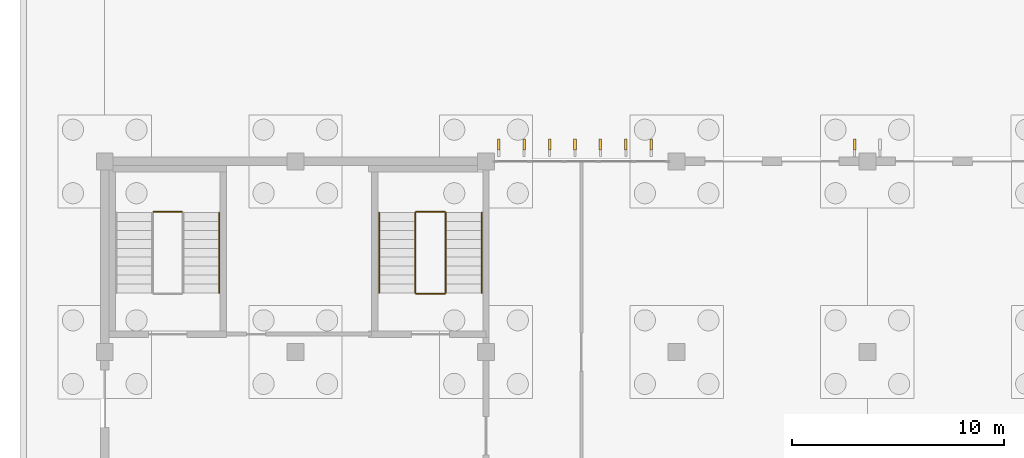
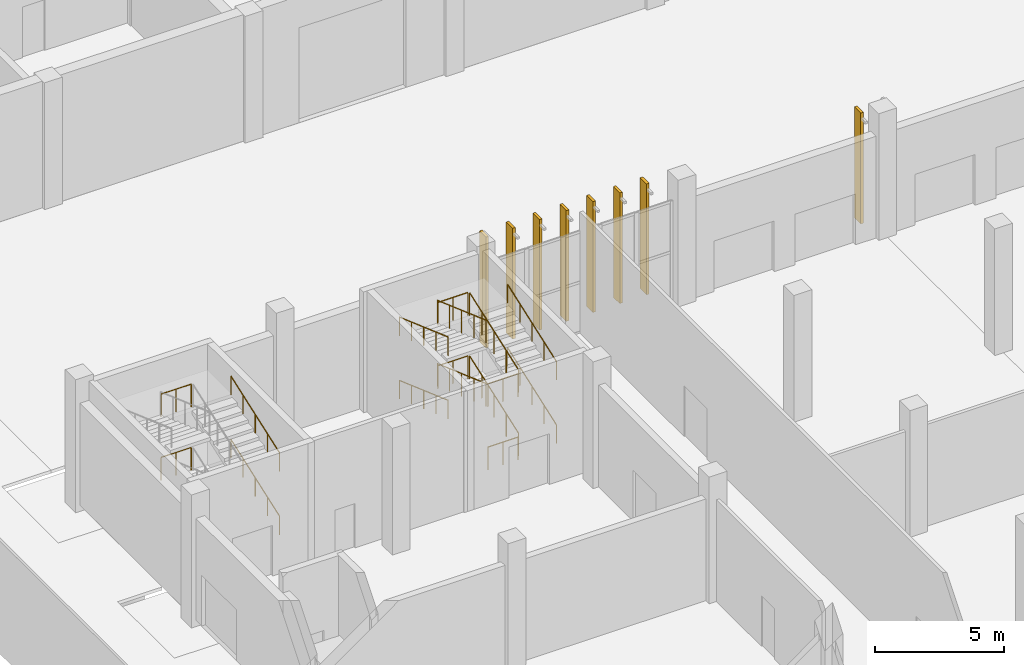
# One storey, part 145 of 198: 16 railings, 8 coverings.
"""IFC4 building model written with IfcOpenShell, lengths in metres."""

from ifc_helpers import new_model, si_unit, direction, frame, origin, origin_2d, place, context, subcontext, project, spatial, rectangle, circle, extrude, material, layer, layer_set, constituent, constituent_set, type_object, element, save


model = new_model("IFC4")

# Units and contexts
model_context = context("Model", 3, precision=1e-05, world=origin(), true_north=direction((0.0, 1.0)))
body_context = subcontext(model_context, "Body", "Model", "MODEL_VIEW")
ifc_project = project(units=[si_unit("LENGTHUNIT", "METRE"), si_unit("AREAUNIT", "SQUARE_METRE"), si_unit("VOLUMEUNIT", "CUBIC_METRE"), si_unit("PLANEANGLEUNIT", "RADIAN"), si_unit("MASSUNIT", "GRAM", prefix="KILO")], contexts=[model_context])

# Site, building, storey
site_placement = place(None, origin())
site = spatial("IfcSite", under=ifc_project, at=site_placement, CompositionType="ELEMENT")
building_placement = place(site_placement, origin())
building = spatial("IfcBuilding", under=site, at=building_placement, Name="Opaline Strait Convention Centre", CompositionType="ELEMENT")
storey_placement = place(building_placement, origin())
storey = spatial("IfcBuildingStorey", under=building, at=storey_placement, Name="L00", CompositionType="ELEMENT", Elevation=0.0)

# Railings
ifc_material_1 = material(Name="Steel Q235B", Category="steel")
ifc_constituent_1 = constituent(ifc_material_1, Name="Frame")
ifc_material_2 = material(Name="Safety glass, bonded interlayer", Category="glass")
ifc_constituent_2 = constituent(ifc_material_2, Name="Infill")
ifc_constituent_set = constituent_set(constituents=[ifc_constituent_1, ifc_constituent_2], Name="Steel Q235B, Safety glass, bonded interlayer")
railing_type_1 = type_object("IfcRailingType", Name="Stair guard 1100 Q235B and glass", PredefinedType="GUARDRAIL", material=ifc_constituent_set)
for number, where, name in (
    (1, (12.64990234375, 96.6298828125, 1.5), "L00 NWA stair guard 2"),
    (2, (12.64990234375, 96.6298828125, 4.5), "L00 NWA stair guard 6"),
):
    element("IfcRailing", number, at=place(storey_placement, frame(where)), inside=storey, type_object=railing_type_1, Name=name, PredefinedType="GUARDRAIL", context=body_context, shape_type="SweptSolid", body=[
        extrude(circle(Radius=0.02392578125, at=origin_2d()), frame((0.0, 0.0, 1.076171875), z_axis=(-1.0, 0.0, 0.0), x_axis=(0.0, -1.0, 0.0)), (0.0, 0.0, 1.0), 1.349853515625),
        extrude(circle(Radius=0.02099609375, at=origin_2d()), origin(), (0.0, 0.0, 1.0), 1.052001953125),
        extrude(circle(Radius=0.02099609375, at=origin_2d()), frame((-0.6748046875, 0.0, 0.0)), (0.0, 0.0, 1.0), 1.052001953125),
        extrude(circle(Radius=0.02099609375, at=origin_2d()), frame((-1.349853515625, 0.0, 0.0)), (0.0, 0.0, 1.0), 1.052001953125),
    ])
railing_1_placement = place(storey_placement, frame((25.10009765625, 92.800048828125, 0.14990234375)))
element("IfcRailing", 3, at=railing_1_placement, inside=storey, type_object=railing_type_1, Name="L00 NWB stair guard 1", PredefinedType="GUARDRAIL", context=body_context, shape_type="SweptSolid", body=[
    extrude(circle(Radius=0.02392578125, at=origin_2d()), frame((0.0, 0.0, 1.076171875), z_axis=(0.0, 0.941735030876, 0.336355662388), x_axis=(-1.0, 0.0, 0.0)), (0.0, 0.0, 1.0), 4.013916015625),
    extrude(circle(Radius=0.02099609375, at=origin_2d()), origin(), (0.0, 0.0, 1.0), 1.052001953125),
    extrude(circle(Radius=0.02099609375, at=origin_2d()), frame((0.0, 0.945068359375, 0.33740234375)), (0.0, 0.0, 1.0), 1.052001953125),
    extrude(circle(Radius=0.02099609375, at=origin_2d()), frame((0.0, 1.89013671875, 0.675048828125)), (0.0, 0.0, 1.0), 1.052001953125),
    extrude(circle(Radius=0.02099609375, at=origin_2d()), frame((0.0, 2.8349609375, 1.0126953125)), (0.0, 0.0, 1.0), 1.052001953125),
    extrude(circle(Radius=0.02099609375, at=origin_2d()), frame((0.0, 3.780029296875, 1.35009765625)), (0.0, 0.0, 1.0), 1.052001953125),
])
railing_2_placement = place(storey_placement, frame((25.050048828125, 96.6298828125, 1.5)))
element("IfcRailing", 4, at=railing_2_placement, inside=storey, type_object=railing_type_1, Name="L00 NWB stair guard 2", PredefinedType="GUARDRAIL", context=body_context, shape_type="SweptSolid", body=[
    extrude(circle(Radius=0.02392578125, at=origin_2d()), frame((0.0, 0.0, 1.076171875), z_axis=(-1.0, 0.0, 0.0), x_axis=(0.0, -1.0, 0.0)), (0.0, 0.0, 1.0), 1.35009765625),
    extrude(circle(Radius=0.02099609375, at=origin_2d()), origin(), (0.0, 0.0, 1.0), 1.052001953125),
    extrude(circle(Radius=0.02099609375, at=origin_2d()), frame((-0.675048828125, 0.0, 0.0)), (0.0, 0.0, 1.0), 1.052001953125),
    extrude(circle(Radius=0.02099609375, at=origin_2d()), frame((-1.35009765625, 0.0, 0.0)), (0.0, 0.0, 1.0), 1.052001953125),
])
railing_3_placement = place(storey_placement, frame((23.64990234375, 96.580078125, 1.64990234375)))
element("IfcRailing", 5, at=railing_3_placement, inside=storey, type_object=railing_type_1, Name="L00 NWB stair guard 3", PredefinedType="GUARDRAIL", context=body_context, shape_type="SweptSolid", body=[
    extrude(circle(Radius=0.02392578125, at=origin_2d()), frame((0.0, 0.0, 1.076171875), z_axis=(0.0, -0.941735030876, 0.336355662388), x_axis=(1.0, 0.0, 0.0)), (0.0, 0.0, 1.0), 4.013916015625),
    extrude(circle(Radius=0.02099609375, at=origin_2d()), origin(), (0.0, 0.0, 1.0), 1.052001953125),
    extrude(circle(Radius=0.02099609375, at=origin_2d()), frame((0.0, -0.945068359375, 0.33740234375)), (0.0, 0.0, 1.0), 1.052001953125),
    extrude(circle(Radius=0.02099609375, at=origin_2d()), frame((0.0, -1.89013671875, 0.675048828125)), (0.0, 0.0, 1.0), 1.052001953125),
    extrude(circle(Radius=0.02099609375, at=origin_2d()), frame((0.0, -2.8349609375, 1.0126953125)), (0.0, 0.0, 1.0), 1.052001953125),
    extrude(circle(Radius=0.02099609375, at=origin_2d()), frame((0.0, -3.780029296875, 1.35009765625)), (0.0, 0.0, 1.0), 1.052001953125),
])
railing_4_placement = place(storey_placement, frame((25.050048828125, 92.75, 3.0)))
element("IfcRailing", 6, at=railing_4_placement, inside=storey, type_object=railing_type_1, Name="L00 NWB stair guard 4", PredefinedType="GUARDRAIL", context=body_context, shape_type="SweptSolid", body=[
    extrude(circle(Radius=0.02392578125, at=origin_2d()), frame((0.0, 0.0, 1.076171875), z_axis=(-1.0, 0.0, 0.0), x_axis=(0.0, -1.0, 0.0)), (0.0, 0.0, 1.0), 1.35009765625),
    extrude(circle(Radius=0.02099609375, at=origin_2d()), origin(), (0.0, 0.0, 1.0), 1.052001953125),
    extrude(circle(Radius=0.02099609375, at=origin_2d()), frame((-0.675048828125, 0.0, 0.0)), (0.0, 0.0, 1.0), 1.052001953125),
    extrude(circle(Radius=0.02099609375, at=origin_2d()), frame((-1.35009765625, 0.0, 0.0)), (0.0, 0.0, 1.0), 1.052001953125),
])
railing_5_placement = place(storey_placement, frame((25.10009765625, 92.800048828125, 3.14990234375)))
element("IfcRailing", 7, at=railing_5_placement, inside=storey, type_object=railing_type_1, Name="L00 NWB stair guard 5", PredefinedType="GUARDRAIL", context=body_context, shape_type="SweptSolid", body=[
    extrude(circle(Radius=0.02392578125, at=origin_2d()), frame((0.0, 0.0, 1.076171875), z_axis=(0.0, 0.941735030876, 0.336355662388), x_axis=(-1.0, 0.0, 0.0)), (0.0, 0.0, 1.0), 4.013916015625),
    extrude(circle(Radius=0.02099609375, at=origin_2d()), origin(), (0.0, 0.0, 1.0), 1.052001953125),
    extrude(circle(Radius=0.02099609375, at=origin_2d()), frame((0.0, 0.945068359375, 0.33740234375)), (0.0, 0.0, 1.0), 1.052001953125),
    extrude(circle(Radius=0.02099609375, at=origin_2d()), frame((0.0, 1.89013671875, 0.675048828125)), (0.0, 0.0, 1.0), 1.052001953125),
    extrude(circle(Radius=0.02099609375, at=origin_2d()), frame((0.0, 2.8349609375, 1.0126953125)), (0.0, 0.0, 1.0), 1.052001953125),
    extrude(circle(Radius=0.02099609375, at=origin_2d()), frame((0.0, 3.780029296875, 1.35009765625)), (0.0, 0.0, 1.0), 1.052001953125),
])
railing_6_placement = place(storey_placement, frame((25.050048828125, 96.6298828125, 4.5)))
element("IfcRailing", 8, at=railing_6_placement, inside=storey, type_object=railing_type_1, Name="L00 NWB stair guard 6", PredefinedType="GUARDRAIL", context=body_context, shape_type="SweptSolid", body=[
    extrude(circle(Radius=0.02392578125, at=origin_2d()), frame((0.0, 0.0, 1.076171875), z_axis=(-1.0, 0.0, 0.0), x_axis=(0.0, -1.0, 0.0)), (0.0, 0.0, 1.0), 1.35009765625),
    extrude(circle(Radius=0.02099609375, at=origin_2d()), origin(), (0.0, 0.0, 1.0), 1.052001953125),
    extrude(circle(Radius=0.02099609375, at=origin_2d()), frame((-0.675048828125, 0.0, 0.0)), (0.0, 0.0, 1.0), 1.052001953125),
    extrude(circle(Radius=0.02099609375, at=origin_2d()), frame((-1.35009765625, 0.0, 0.0)), (0.0, 0.0, 1.0), 1.052001953125),
])
railing_7_placement = place(storey_placement, frame((23.64990234375, 96.580078125, 4.64990234375)))
element("IfcRailing", 9, at=railing_7_placement, inside=storey, type_object=railing_type_1, Name="L00 NWB stair guard 7", PredefinedType="GUARDRAIL", context=body_context, shape_type="SweptSolid", body=[
    extrude(circle(Radius=0.02392578125, at=origin_2d()), frame((0.0, 0.0, 1.076171875), z_axis=(0.0, -0.941735030876, 0.336355662388), x_axis=(1.0, 0.0, 0.0)), (0.0, 0.0, 1.0), 4.013916015625),
    extrude(circle(Radius=0.02099609375, at=origin_2d()), origin(), (0.0, 0.0, 1.0), 1.052001953125),
    extrude(circle(Radius=0.02099609375, at=origin_2d()), frame((0.0, -0.945068359375, 0.33740234375)), (0.0, 0.0, 1.0), 1.052001953125),
    extrude(circle(Radius=0.02099609375, at=origin_2d()), frame((0.0, -1.89013671875, 0.675048828125)), (0.0, 0.0, 1.0), 1.052001953125),
    extrude(circle(Radius=0.02099609375, at=origin_2d()), frame((0.0, -2.8349609375, 1.0126953125)), (0.0, 0.0, 1.0), 1.052001953125),
    extrude(circle(Radius=0.02099609375, at=origin_2d()), frame((0.0, -3.780029296875, 1.35009765625)), (0.0, 0.0, 1.0), 1.052001953125),
])
railing_8_placement = place(storey_placement, frame((25.050048828125, 92.75, 0.0)))
element("IfcRailing", 10, at=railing_8_placement, inside=storey, type_object=railing_type_1, Name="L00 NWB stair guard 8", PredefinedType="GUARDRAIL", context=body_context, shape_type="SweptSolid", body=[
    extrude(circle(Radius=0.02392578125, at=origin_2d()), frame((0.0, 0.0, 1.076171875), z_axis=(-1.0, 0.0, 0.0), x_axis=(0.0, -1.0, 0.0)), (0.0, 0.0, 1.0), 1.35009765625),
    extrude(circle(Radius=0.02099609375, at=origin_2d()), origin(), (0.0, 0.0, 1.0), 1.052001953125),
    extrude(circle(Radius=0.02099609375, at=origin_2d()), frame((-0.675048828125, 0.0, 0.0)), (0.0, 0.0, 1.0), 1.052001953125),
    extrude(circle(Radius=0.02099609375, at=origin_2d()), frame((-1.35009765625, 0.0, 0.0)), (0.0, 0.0, 1.0), 1.052001953125),
])
ifc_material_3 = material(Name="Stainless steel 304", Category="steel")
railing_type_2 = type_object("IfcRailingType", Name="Stair handrail 900 stainless 304", PredefinedType="HANDRAIL", material=ifc_material_3)
for number, where, name in (
    (11, (14.39990234375, 92.800048828125, 0.14990234375), "L00 NWA stair handrail 1"),
    (12, (14.39990234375, 92.800048828125, 3.14990234375), "L00 NWA stair handrail 3"),
    (13, (26.800048828125, 92.800048828125, 0.14990234375), "L00 NWB stair handrail 1"),
):
    element("IfcRailing", number, at=place(storey_placement, frame(where)), inside=storey, type_object=railing_type_2, Name=name, PredefinedType="HANDRAIL", context=body_context, shape_type="SweptSolid", body=[
        extrude(circle(Radius=0.02392578125, at=origin_2d()), frame((0.0, 0.0, 0.8759765625), z_axis=(0.0, 0.941735030876, 0.336355662388), x_axis=(-1.0, 0.0, 0.0)), (0.0, 0.0, 1.0), 4.013916015625),
        extrude(circle(Radius=0.02099609375, at=origin_2d()), origin(), (0.0, 0.0, 1.0), 0.851806640625),
        extrude(circle(Radius=0.02099609375, at=origin_2d()), frame((0.0, 0.945068359375, 0.33740234375)), (0.0, 0.0, 1.0), 0.851806640625),
        extrude(circle(Radius=0.02099609375, at=origin_2d()), frame((0.0, 1.89013671875, 0.675048828125)), (0.0, 0.0, 1.0), 0.851806640625),
        extrude(circle(Radius=0.02099609375, at=origin_2d()), frame((0.0, 2.8349609375, 1.0126953125)), (0.0, 0.0, 1.0), 0.851806640625),
        extrude(circle(Radius=0.02099609375, at=origin_2d()), frame((0.0, 3.780029296875, 1.35009765625)), (0.0, 0.0, 1.0), 0.851806640625),
    ])
railing_9_placement = place(storey_placement, frame((21.949951171875, 96.580078125, 1.64990234375)))
element("IfcRailing", 14, at=railing_9_placement, inside=storey, type_object=railing_type_2, Name="L00 NWB stair handrail 2", PredefinedType="HANDRAIL", context=body_context, shape_type="SweptSolid", body=[
    extrude(circle(Radius=0.02392578125, at=origin_2d()), frame((0.0, 0.0, 0.8759765625), z_axis=(0.0, -0.941735030876, 0.336355662388), x_axis=(1.0, 0.0, 0.0)), (0.0, 0.0, 1.0), 4.013916015625),
    extrude(circle(Radius=0.02099609375, at=origin_2d()), origin(), (0.0, 0.0, 1.0), 0.851806640625),
    extrude(circle(Radius=0.02099609375, at=origin_2d()), frame((0.0, -0.945068359375, 0.33740234375)), (0.0, 0.0, 1.0), 0.851806640625),
    extrude(circle(Radius=0.02099609375, at=origin_2d()), frame((0.0, -1.89013671875, 0.675048828125)), (0.0, 0.0, 1.0), 0.851806640625),
    extrude(circle(Radius=0.02099609375, at=origin_2d()), frame((0.0, -2.8349609375, 1.0126953125)), (0.0, 0.0, 1.0), 0.851806640625),
    extrude(circle(Radius=0.02099609375, at=origin_2d()), frame((0.0, -3.780029296875, 1.35009765625)), (0.0, 0.0, 1.0), 0.851806640625),
])
railing_10_placement = place(storey_placement, frame((26.800048828125, 92.800048828125, 3.14990234375)))
element("IfcRailing", 15, at=railing_10_placement, inside=storey, type_object=railing_type_2, Name="L00 NWB stair handrail 3", PredefinedType="HANDRAIL", context=body_context, shape_type="SweptSolid", body=[
    extrude(circle(Radius=0.02392578125, at=origin_2d()), frame((0.0, 0.0, 0.8759765625), z_axis=(0.0, 0.941735030876, 0.336355662388), x_axis=(-1.0, 0.0, 0.0)), (0.0, 0.0, 1.0), 4.013916015625),
    extrude(circle(Radius=0.02099609375, at=origin_2d()), origin(), (0.0, 0.0, 1.0), 0.851806640625),
    extrude(circle(Radius=0.02099609375, at=origin_2d()), frame((0.0, 0.945068359375, 0.33740234375)), (0.0, 0.0, 1.0), 0.851806640625),
    extrude(circle(Radius=0.02099609375, at=origin_2d()), frame((0.0, 1.89013671875, 0.675048828125)), (0.0, 0.0, 1.0), 0.851806640625),
    extrude(circle(Radius=0.02099609375, at=origin_2d()), frame((0.0, 2.8349609375, 1.0126953125)), (0.0, 0.0, 1.0), 0.851806640625),
    extrude(circle(Radius=0.02099609375, at=origin_2d()), frame((0.0, 3.780029296875, 1.35009765625)), (0.0, 0.0, 1.0), 0.851806640625),
])
railing_11_placement = place(storey_placement, frame((21.949951171875, 96.580078125, 4.64990234375)))
element("IfcRailing", 16, at=railing_11_placement, inside=storey, type_object=railing_type_2, Name="L00 NWB stair handrail 4", PredefinedType="HANDRAIL", context=body_context, shape_type="SweptSolid", body=[
    extrude(circle(Radius=0.02392578125, at=origin_2d()), frame((0.0, 0.0, 0.8759765625), z_axis=(0.0, -0.941735030876, 0.336355662388), x_axis=(1.0, 0.0, 0.0)), (0.0, 0.0, 1.0), 4.013916015625),
    extrude(circle(Radius=0.02099609375, at=origin_2d()), origin(), (0.0, 0.0, 1.0), 0.851806640625),
    extrude(circle(Radius=0.02099609375, at=origin_2d()), frame((0.0, -0.945068359375, 0.33740234375)), (0.0, 0.0, 1.0), 0.851806640625),
    extrude(circle(Radius=0.02099609375, at=origin_2d()), frame((0.0, -1.89013671875, 0.675048828125)), (0.0, 0.0, 1.0), 0.851806640625),
    extrude(circle(Radius=0.02099609375, at=origin_2d()), frame((0.0, -2.8349609375, 1.0126953125)), (0.0, 0.0, 1.0), 0.851806640625),
    extrude(circle(Radius=0.02099609375, at=origin_2d()), frame((0.0, -3.780029296875, 1.35009765625)), (0.0, 0.0, 1.0), 0.851806640625),
])

# Coverings
ifc_material_4 = material(Name="Powder-coated white aluminium", Category="aluminium")
ifc_layer = layer(ifc_material_4, 0.1201171875)
ifc_layer_set = layer_set([ifc_layer], Name="Powder-coated white aluminium")
covering_type = type_object("IfcCoveringType", Name="Storm louvre fin 120x500x5250", PredefinedType="CLADDING", material=ifc_layer_set)
for number, where, z_axis, x_axis, name in (
    (17, (27.60009765625, 99.800048828125, 0.300048828125), (0.0, 0.0, 1.0), (1.0, 0.0, 0.0), "Storm louvre fin N L00"),
    (18, (28.800048828125, 99.800048828125, 0.300048828125), (0.0, 0.0, 1.0), (1.0, 0.0, 0.0), "Storm louvre fin N L00"),
    (19, (30.0, 99.800048828125, 0.300048828125), (0.0, 0.0, 1.0), (1.0, 0.0, 0.0), "Storm louvre fin N L00"),
    (20, (31.199951171875, 99.800048828125, 0.300048828125), (0.0, 0.0, 1.0), (1.0, 0.0, 0.0), "Storm louvre fin N L00"),
    (21, (32.39990234375, 99.800048828125, 0.300048828125), (0.0, 0.0, 1.0), (1.0, 0.0, 0.0), "Storm louvre fin N L00"),
    (22, (33.60009765625, 99.800048828125, 0.300048828125), (0.0, 0.0, 1.0), (1.0, 0.0, 0.0), "Storm louvre fin N L00"),
    (23, (34.800048828125, 99.800048828125, 0.300048828125), (0.0, 0.0, 1.0), (1.0, 0.0, 0.0), "Storm louvre fin N L00"),
    (24, (44.39990234375, 99.800048828125, 0.300048828125), (0.0, 0.0, 1.0), (1.0, 0.0, 0.0), "Storm louvre fin N L00"),
):
    element("IfcCovering", number, at=place(storey_placement, frame(where, z_axis=z_axis, x_axis=x_axis)), inside=storey, type_object=covering_type, Name=name, PredefinedType="CLADDING", context=body_context, shape_type="SweptSolid", body=[
        extrude(rectangle(XDim=0.1201171875, YDim=0.5, at=origin_2d()), origin(), (0.0, 0.0, 1.0), 5.25),
    ])

save(model, "model.ifc")
